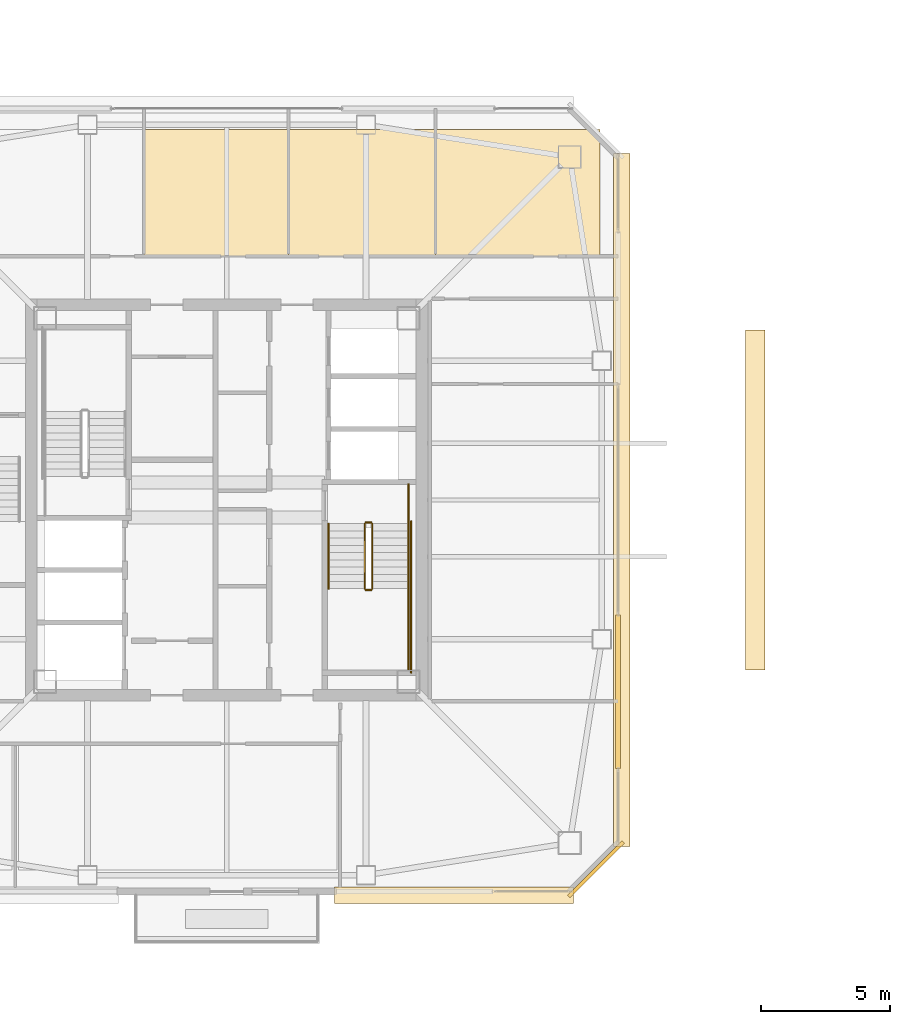
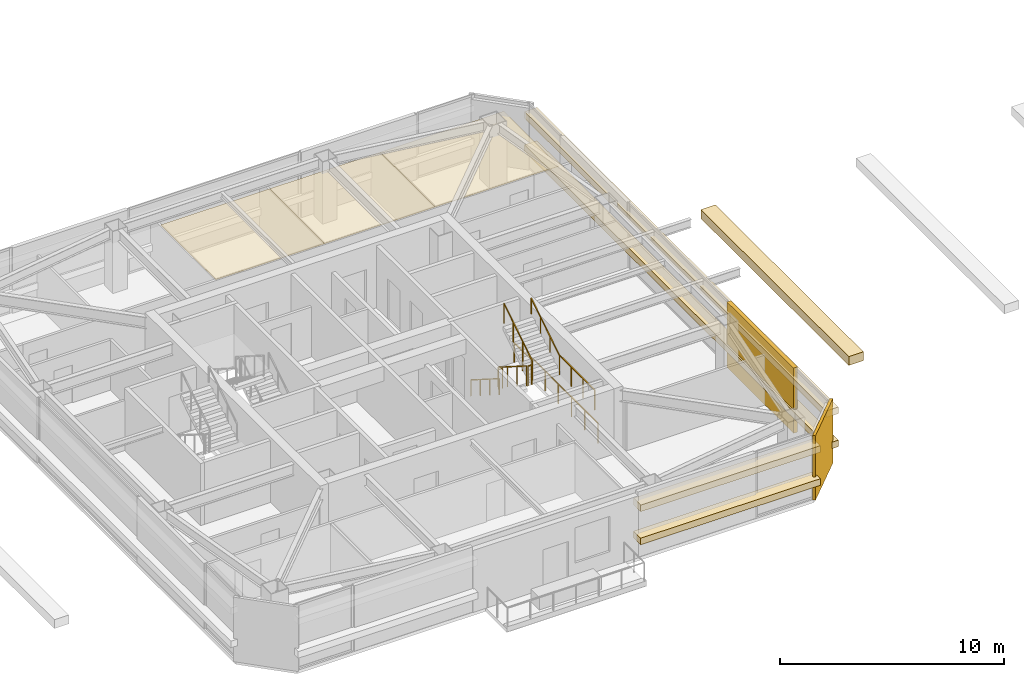
# One storey, part 30 of 31: 10 coverings, 9 railings.
"""IFC4 building model written with IfcOpenShell, lengths in metres."""

import ifcopenshell
import ifcopenshell.guid

model = None  # the IFC model being written
_history = None  # IfcOwnerHistory: only IFC2X3 demands one
_inside = {}  # id of a spatial element -> (the spatial element, [elements in it])
_under = {}  # id of a project, library or spatial element -> (it, [spatial elements below it])
_declared = {}  # id of a project -> (the project, [libraries it declares])
_typed = {}  # id of a type object -> (the type object, [elements of that type])
_made_of = {}  # id of a material, layer set ... -> (it, [elements and type objects made of it])


def new_model(schema):
    """Start an empty IFC model of exactly this schema.

    Asked for "IFC4X3", IfcOpenShell would pick the latest addendum, in which some entities
    have other attributes; the version numbers below select the first issue.
    IFC2X3 requires an IfcOwnerHistory on every rooted entity: one is made here for all.
    """
    global model, _history
    if schema == "IFC4X3":
        model = ifcopenshell.file(schema_version=(4, 3, 0, 0))
    else:
        model = ifcopenshell.file(schema=schema)
    _inside.clear()
    _under.clear()
    _declared.clear()
    _typed.clear()
    _made_of.clear()
    _history = None
    if model.schema == "IFC2X3":
        org = make("IfcOrganization", Name="unknown")
        user = make(
            "IfcPersonAndOrganization",
            ThePerson=make("IfcPerson", FamilyName="unknown"),
            TheOrganization=org,
        )
        app = make(
            "IfcApplication",
            ApplicationDeveloper=org,
            Version="unknown",
            ApplicationFullName="unknown",
            ApplicationIdentifier="unknown",
        )
        _history = make(
            "IfcOwnerHistory",
            OwningUser=user,
            OwningApplication=app,
            ChangeAction="ADDED",
            CreationDate=0,
        )
    return model


def make(cls, **values):
    """One entity of the class cls with the attributes given. An attribute that is None is left unset."""
    return model.create_entity(
        cls, **{name: value for name, value in values.items() if value is not None}
    )


def rooted(cls, **values):
    """An entity with a GlobalId (a new one), such as an element, a storey or a relation."""
    return make(cls, GlobalId=ifcopenshell.guid.new(), OwnerHistory=_history, **values)


def si_unit(unit_type, name, prefix=None):
    """IfcSIUnit, for example si_unit("LENGTHUNIT", "METRE", prefix="MILLI")."""
    return make("IfcSIUnit", UnitType=unit_type, Prefix=prefix, Name=name)


def assignment(units):
    """IfcUnitAssignment: the units of a project."""
    return None if units is None else make("IfcUnitAssignment", Units=units)


def point(xyz):
    """IfcCartesianPoint."""
    return None if xyz is None else make("IfcCartesianPoint", Coordinates=xyz)


def direction(xyz):
    """IfcDirection."""
    return None if xyz is None else make("IfcDirection", DirectionRatios=xyz)


def frame(location, z_axis=None, x_axis=None):
    """IfcAxis2Placement3D, a coordinate frame: its origin and axes. An axis left out is left unset."""
    return make(
        "IfcAxis2Placement3D",
        Location=point(location),
        Axis=direction(z_axis),
        RefDirection=direction(x_axis),
    )


def frame_2d(location, x_axis=None):
    """IfcAxis2Placement2D, a coordinate frame in the plane: its origin and x axis."""
    return make(
        "IfcAxis2Placement2D", Location=point(location), RefDirection=direction(x_axis)
    )


def origin():
    """The frame at (0, 0, 0) with its axes left unset."""
    return frame((0.0, 0.0, 0.0))


def origin_2d():
    """The frame at (0, 0) in the plane with its x axis left unset."""
    return frame_2d((0.0, 0.0))


def place(relative_to, where):
    """IfcLocalPlacement: puts the frame where relative to a parent placement (None: the world)."""
    return make(
        "IfcLocalPlacement", PlacementRelTo=relative_to, RelativePlacement=where
    )


def context(
    kind, dimensions, precision=None, world=None, true_north=None, identifier=None
):
    """IfcGeometricRepresentationContext, for example the 3D "Model" context."""
    return make(
        "IfcGeometricRepresentationContext",
        ContextIdentifier=identifier,
        ContextType=kind,
        CoordinateSpaceDimension=dimensions,
        Precision=precision,
        WorldCoordinateSystem=world,
        TrueNorth=true_north,
    )


def subcontext(parent, identifier, kind, view, scale=None):
    """IfcGeometricRepresentationSubContext, for example "Body" below "Model"."""
    return make(
        "IfcGeometricRepresentationSubContext",
        ContextIdentifier=identifier,
        ContextType=kind,
        ParentContext=parent,
        TargetScale=scale,
        TargetView=view,
    )


def project(units=None, contexts=None):
    """IfcProject with its units and contexts."""
    return rooted(
        "IfcProject",
        Name="project",
        RepresentationContexts=contexts,
        UnitsInContext=assignment(units),
    )


def spatial(cls, under=None, at=None, **own):
    """A site, building, storey or space (cls), placed at a placement, below another one or the project."""
    s = rooted(cls, ObjectPlacement=at, **own)
    if under is not None:
        _under.setdefault(under.id(), (under, []))[1].append(s)
    return s


def polyline(points):
    """IfcPolyline through the points."""
    return make("IfcPolyline", Points=[point(p) for p in points])


def profile(cls, at=None, kind="AREA", **sizes):
    """A parametric profile (cls). Its sizes go by their IFC names, for example OverallWidth=200.0."""
    return make(cls, ProfileType=kind, Position=at, **sizes)


def rectangle(**sizes):
    """IfcRectangleProfileDef."""
    return profile("IfcRectangleProfileDef", **sizes)


def outline(outer, holes=None, kind="AREA"):
    """IfcArbitraryClosedProfileDef: a profile drawn as a closed curve; with holes, ...WithVoids."""
    if holes is None:
        return make("IfcArbitraryClosedProfileDef", ProfileType=kind, OuterCurve=outer)
    return make(
        "IfcArbitraryProfileDefWithVoids",
        ProfileType=kind,
        OuterCurve=outer,
        InnerCurves=holes,
    )


def extrude(swept, where, along, depth):
    """IfcExtrudedAreaSolid: the profile swept, set in the frame where, extruded along a direction by depth."""
    return make(
        "IfcExtrudedAreaSolid",
        SweptArea=swept,
        Position=where,
        ExtrudedDirection=direction(along),
        Depth=depth,
    )


def shape(context_of_items, identifier, shape_type, items):
    """IfcShapeRepresentation: the items that make up one representation, for example the "Body"."""
    return make(
        "IfcShapeRepresentation",
        ContextOfItems=context_of_items,
        RepresentationIdentifier=identifier,
        RepresentationType=shape_type,
        Items=items,
    )


def material(Name=None, Category=None):
    """IfcMaterial."""
    return make("IfcMaterial", Name=Name, Category=Category)


def layer(
    of_material, thickness, ventilated=None, Name=None, Category=None, Priority=None
):
    """IfcMaterialLayer: one layer of a wall or slab, of a material (None: an air gap)."""
    return make(
        "IfcMaterialLayer",
        Material=of_material,
        LayerThickness=thickness,
        IsVentilated=ventilated,
        Name=Name,
        Category=Category,
        Priority=Priority,
    )


def layer_set(layers, Name=None):
    """IfcMaterialLayerSet."""
    return make("IfcMaterialLayerSet", MaterialLayers=layers, LayerSetName=Name)


def made_of(thing, what):
    """Note that an element or type object is made of a material, layer set ...; save() writes the relation."""
    if what is not None:
        _made_of.setdefault(what.id(), (what, []))[1].append(thing)
    return thing


def type_object(cls, material=None, **own):
    """A type object (cls), such as IfcWallType, which elements share."""
    return made_of(rooted(cls, **own), material)


def element(
    cls,
    number,
    at=None,
    inside=None,
    cuts=None,
    type_object=None,
    material=None,
    context=None,
    identifier="Body",
    shape_type=None,
    held_by="IfcProductDefinitionShape",
    body=None,
    shapes=None,
    **own,
):
    """One element of the class cls, such as IfcWall. Its Tag is "e" and its number.

    at: its placement. inside: the storey or other place that contains it. cuts: it is an
    opening in that element (IfcRelVoidsElement). A single representation is given by context,
    identifier, shape_type and body (its items); several are given by shapes. held_by: the class
    of the entity that holds the representations. save() writes the other relations.
    """
    e = rooted(cls, Tag="e%d" % number, ObjectPlacement=at, **own)
    if body is not None:
        shapes = [shape(context, identifier, shape_type, body)]
    if shapes is not None:
        e.Representation = make(held_by, Representations=shapes)
    if inside is not None:
        _inside.setdefault(inside.id(), (inside, []))[1].append(e)
    if cuts is not None:
        rooted(
            "IfcRelVoidsElement", RelatingBuildingElement=cuts, RelatedOpeningElement=e
        )
    if type_object is not None:
        _typed.setdefault(type_object.id(), (type_object, []))[1].append(e)
    return made_of(e, material)


def aggregate(whole, parts):
    """IfcRelAggregates: a whole, such as a stair, and the parts it consists of."""
    return rooted("IfcRelAggregates", RelatingObject=whole, RelatedObjects=parts)


def save(model, path):
    """Write the relations noted so far, then the file.

    IfcRelAggregates (storeys below a building ...), IfcRelContainedInSpatialStructure (elements
    in a storey), IfcRelDefinesByType, IfcRelAssociatesMaterial and IfcRelDeclares: one each for
    every whole, place, type object, material and project.
    """
    for whole, parts in _under.values():
        aggregate(whole, parts)
    for where, things in _inside.values():
        rooted(
            "IfcRelContainedInSpatialStructure",
            RelatedElements=things,
            RelatingStructure=where,
        )
    for kind, things in _typed.values():
        rooted("IfcRelDefinesByType", RelatedObjects=things, RelatingType=kind)
    for what, things in _made_of.values():
        rooted("IfcRelAssociatesMaterial", RelatedObjects=things, RelatingMaterial=what)
    for by, libraries in _declared.values():
        rooted("IfcRelDeclares", RelatingContext=by, RelatedDefinitions=libraries)
    model.write(path)


model = new_model("IFC4")

# Units and contexts
model_context = context("Model", 3, precision=1e-05, world=origin(), true_north=direction((0.0, 1.0)))
body_context = subcontext(model_context, "Body", "Model", "MODEL_VIEW")
ifc_project = project(units=[si_unit("LENGTHUNIT", "METRE"), si_unit("AREAUNIT", "SQUARE_METRE"), si_unit("VOLUMEUNIT", "CUBIC_METRE"), si_unit("PLANEANGLEUNIT", "RADIAN"), si_unit("MASSUNIT", "GRAM", prefix="KILO")], contexts=[model_context])

# Site, building, storey
site_placement = place(None, origin())
site = spatial("IfcSite", under=ifc_project, at=site_placement, CompositionType="ELEMENT")
building_placement = place(site_placement, origin())
building = spatial("IfcBuilding", under=site, at=building_placement, Name="Tashvorn Skyway Center", CompositionType="ELEMENT")
storey_placement = place(building_placement, frame((0.0, 0.0, 266.949951171875)))
storey = spatial("IfcBuildingStorey", under=building, at=storey_placement, Name="L72", CompositionType="ELEMENT", Elevation=266.949951171875)

# Coverings
ifc_material_1 = material(Name="Precast concrete C40/50", Category="concrete")
ifc_layer_1 = layer(ifc_material_1, 0.199951171875)
ifc_layer_set_1 = layer_set([ifc_layer_1], Name="Precast concrete C40/50")
covering_type_1 = type_object("IfcCoveringType", Name="COV-BRACE-CLAD", PredefinedType="CLADDING", material=ifc_layer_set_1)
covering_1_placement = place(storey_placement, frame((57.179931640625, 24.566650390625, 0.0), z_axis=(0.0, 0.0, 1.0), x_axis=(0.0, -1.0, 0.0)))
element("IfcCovering", 1, at=covering_1_placement, inside=storey, type_object=covering_type_1, Name="Tower 1 L72 East Unitised Curtain Wall Mega-Brace Cladding Band 2", PredefinedType="CLADDING", context=body_context, shape_type="SweptSolid", body=[
    extrude(rectangle(XDim=5.94677734375, YDim=0.199951171875, at=origin_2d()), origin(), (0.0, 0.0, 1.0), 3.550048828125),
])
ifc_material_2 = material(Name="Mineral-fibre acoustic ceiling tile on suspended grid")
ifc_layer_2 = layer(ifc_material_2, 0.02001953125)
ifc_layer_set_2 = layer_set([ifc_layer_2], Name="Mineral-fibre acoustic ceiling tile on suspended grid")
covering_type_2 = type_object("IfcCoveringType", Name="COV-CEIL-20", PredefinedType="CEILING", material=ifc_layer_set_2)
covering_2_placement = place(storey_placement, frame((0.0, 0.0, 2.703125)))
element("IfcCovering", 2, at=covering_2_placement, inside=storey, type_object=covering_type_2, Name="Tower 1 L72 Security Control Room Acoustic Ceiling", PredefinedType="CEILING", context=body_context, shape_type="SweptSolid", body=[
    extrude(outline(polyline([(38.800048828125, 41.449951171875), (44.39990234375, 41.449951171875), (44.39990234375, 46.3701171875), (38.800048828125, 46.3701171875), (38.800048828125, 41.449951171875)])), origin(), (0.0, 0.0, 1.0), 0.02001953125),
])
covering_3_placement = place(storey_placement, frame((0.0, 0.0, 2.703125)))
element("IfcCovering", 3, at=covering_3_placement, inside=storey, type_object=covering_type_2, Name="Tower 1 L72 Research Library Acoustic Ceiling", PredefinedType="CEILING", context=body_context, shape_type="SweptSolid", body=[
    extrude(outline(polyline([(44.39990234375, 41.449951171875), (50.10009765625, 41.449951171875), (50.10009765625, 46.3701171875), (44.39990234375, 46.3701171875), (44.39990234375, 41.449951171875)])), origin(), (0.0, 0.0, 1.0), 0.02001953125),
])
covering_4_placement = place(storey_placement, frame((0.0, 0.0, 2.703125)))
element("IfcCovering", 4, at=covering_4_placement, inside=storey, type_object=covering_type_2, Name="Tower 1 L72 Research Library Acoustic Ceiling", PredefinedType="CEILING", context=body_context, shape_type="SweptSolid", body=[
    extrude(outline(polyline([(50.10009765625, 41.449951171875), (56.469970703125, 41.449951171875), (56.469970703125, 46.3701171875), (50.10009765625, 46.3701171875), (50.10009765625, 41.449951171875)])), origin(), (0.0, 0.0, 1.0), 0.02001953125),
])
ifc_material_3 = material(Name="Perforated ceramic-coated bronze aluminium solar screen", Category="aluminium")
ifc_layer_3 = layer(ifc_material_3, 0.85009765625)
ifc_layer_set_3 = layer_set([ifc_layer_3], Name="Perforated ceramic-coated bronze aluminium solar screen")
covering_type_3 = type_object("IfcCoveringType", Name="COV-SOLAR-BAND", PredefinedType="CLADDING", material=ifc_layer_set_3)
for number, where, z_axis, x_axis, name in (
    (5, (50.81494140625, 16.679931640625, 0.919921875), (0.0, 0.0, 1.0), (-1.0, 0.0, 0.0), "L72 Perforated Ceramic-Metal Solar Screen Louvre Band South 1"),
    (6, (50.81494140625, 16.679931640625, 2.72021484375), (0.0, 0.0, 1.0), (-1.0, 0.0, 0.0), "L72 Perforated Ceramic-Metal Solar Screen Louvre Band South 2"),
):
    element("IfcCovering", number, at=place(storey_placement, frame(where, z_axis=z_axis, x_axis=x_axis)), inside=storey, type_object=covering_type_3, Name=name, PredefinedType="CLADDING", context=body_context, shape_type="SweptSolid", body=[
        extrude(rectangle(XDim=9.25, YDim=0.639892578125, at=origin_2d()), origin(), (0.0, 0.0, 1.0), 0.360107421875),
    ])
for number, where, z_axis, x_axis, name in (
    (7, (57.320068359375, 32.0, 0.919921875), (0.0, 0.0, 1.0), (0.0, -1.0, 0.0), "L72 Perforated Ceramic-Metal Solar Screen Louvre Band East 1"),
    (8, (57.320068359375, 32.0, 2.72021484375), (0.0, 0.0, 1.0), (0.0, -1.0, 0.0), "L72 Perforated Ceramic-Metal Solar Screen Louvre Band East 2"),
):
    element("IfcCovering", number, at=place(storey_placement, frame(where, z_axis=z_axis, x_axis=x_axis)), inside=storey, type_object=covering_type_3, Name=name, PredefinedType="CLADDING", context=body_context, shape_type="SweptSolid", body=[
        extrude(rectangle(XDim=26.8798828125, YDim=0.639892578125, at=origin_2d()), origin(), (0.0, 0.0, 1.0), 0.360107421875),
    ])
ifc_layer_4 = layer(ifc_material_1, 0.35009765625)
ifc_layer_set_4 = layer_set([ifc_layer_4], Name="Precast concrete C40/50")
covering_type_4 = type_object("IfcCoveringType", Name="COV-STONE-TRIM", PredefinedType="CLADDING", material=ifc_layer_set_4)
covering_5_placement = place(storey_placement, frame((56.320068359375, 17.679931640625, 0.02001953125), z_axis=(0.0, 0.0, 1.0), x_axis=(0.707106781187, 0.707106781187, 0.0)))
element("IfcCovering", 9, at=covering_5_placement, inside=storey, type_object=covering_type_4, Name="Tower 1 L72 SE Mojave Limestone Corner Quoin", PredefinedType="CLADDING", context=body_context, shape_type="SweptSolid", body=[
    extrude(rectangle(XDim=2.98828125, YDim=0.139892578125, at=origin_2d()), origin(), (0.0, 0.0, 1.0), 3.510009765625),
])
covering_6_placement = place(storey_placement, frame((62.5, 32.0, -0.3798828125), z_axis=(0.0, 0.0, 1.0), x_axis=(1.0, 0.0, 0.0)))
element("IfcCovering", 10, at=covering_6_placement, inside=storey, type_object=covering_type_4, Name="Sky-Park Promenade Terracotta Pergola Trellis 4", PredefinedType="CLADDING", context=body_context, shape_type="SweptSolid", body=[
    extrude(rectangle(XDim=0.75, YDim=13.199951171875, at=origin_2d()), origin(), (0.0, 0.0, 1.0), 0.47998046875),
])

# Railings
ifc_material_4 = material(Name="Brushed stainless steel 316", Category="steel")
railing_type_1 = type_object("IfcRailingType", Name="RAIL-HAND-920", PredefinedType="HANDRAIL", material=ifc_material_4)
railing_1_placement = place(storey_placement, frame((45.949951171875, 31.080078125, 0.177490234375)))
element("IfcRailing", 11, at=railing_1_placement, inside=storey, type_object=railing_type_1, Name="L72 ST-T1-2 stair handrail 1", PredefinedType="HANDRAIL", context=body_context, shape_type="SweptSolid", body=[
    extrude(rectangle(XDim=0.048095703125, YDim=0.048095703125, at=origin_2d()), frame((0.0, 0.0, 0.8759765625), z_axis=(0.0, -0.84456994832, 0.535445237532), x_axis=(1.0, 0.0, 0.0)), (0.0, 0.0, 1.0), 2.98388671875),
    extrude(rectangle(XDim=0.0419921875, YDim=0.0419921875, at=origin_2d()), origin(), (0.0, 0.0, 1.0), 0.851806640625),
    extrude(rectangle(XDim=0.0419921875, YDim=0.0419921875, at=origin_2d()), frame((0.0, -0.840087890625, 0.532470703125)), (0.0, 0.0, 1.0), 0.851806640625),
    extrude(rectangle(XDim=0.0419921875, YDim=0.0419921875, at=origin_2d()), frame((0.0, -1.679931640625, 1.065185546875)), (0.0, 0.0, 1.0), 0.851806640625),
    extrude(rectangle(XDim=0.0419921875, YDim=0.0419921875, at=origin_2d()), frame((0.0, -2.52001953125, 1.59765625)), (0.0, 0.0, 1.0), 0.851806640625),
])
railing_2_placement = place(storey_placement, frame((49.050048828125, 28.56005859375, 1.95263671875)))
element("IfcRailing", 12, at=railing_2_placement, inside=storey, type_object=railing_type_1, Name="L72 ST-T1-2 stair handrail 2", PredefinedType="HANDRAIL", context=body_context, shape_type="SweptSolid", body=[
    extrude(rectangle(XDim=0.048095703125, YDim=0.048095703125, at=origin_2d()), frame((0.0, 0.0, 0.8759765625), z_axis=(0.0, 0.84460694969, 0.535386869969), x_axis=(-1.0, 0.0, 0.0)), (0.0, 0.0, 1.0), 2.983642578125),
    extrude(rectangle(XDim=0.0419921875, YDim=0.0419921875, at=origin_2d()), origin(), (0.0, 0.0, 1.0), 0.851806640625),
    extrude(rectangle(XDim=0.0419921875, YDim=0.0419921875, at=origin_2d()), frame((0.0, 0.840087890625, 0.532470703125)), (0.0, 0.0, 1.0), 0.851806640625),
    extrude(rectangle(XDim=0.0419921875, YDim=0.0419921875, at=origin_2d()), frame((0.0, 1.679931640625, 1.06494140625)), (0.0, 0.0, 1.0), 0.851806640625),
    extrude(rectangle(XDim=0.0419921875, YDim=0.0419921875, at=origin_2d()), frame((0.0, 2.52001953125, 1.597412109375)), (0.0, 0.0, 1.0), 0.851806640625),
])
ifc_material_5 = material(Name="Painted galvanized steel S355", Category="steel")
railing_type_2 = type_object("IfcRailingType", Name="RAIL-STGUARD-1100", PredefinedType="GUARDRAIL", material=ifc_material_5)
railing_3_placement = place(storey_placement, frame((47.35009765625, 31.080078125, 0.177490234375)))
element("IfcRailing", 13, at=railing_3_placement, inside=storey, type_object=railing_type_2, Name="L72 ST-T1-2 stair guard 1", PredefinedType="GUARDRAIL", context=body_context, shape_type="SweptSolid", body=[
    extrude(rectangle(XDim=0.048095703125, YDim=0.048095703125, at=origin_2d()), frame((0.0, 0.0, 1.076171875), z_axis=(0.0, -0.84456994832, 0.535445237532), x_axis=(1.0, 0.0, 0.0)), (0.0, 0.0, 1.0), 2.98388671875),
    extrude(rectangle(XDim=0.0419921875, YDim=0.0419921875, at=origin_2d()), origin(), (0.0, 0.0, 1.0), 1.052001953125),
    extrude(rectangle(XDim=0.0419921875, YDim=0.0419921875, at=origin_2d()), frame((0.0, -0.840087890625, 0.532470703125)), (0.0, 0.0, 1.0), 1.052001953125),
    extrude(rectangle(XDim=0.0419921875, YDim=0.0419921875, at=origin_2d()), frame((0.0, -1.679931640625, 1.065185546875)), (0.0, 0.0, 1.0), 1.052001953125),
    extrude(rectangle(XDim=0.0419921875, YDim=0.0419921875, at=origin_2d()), frame((0.0, -2.52001953125, 1.59765625)), (0.0, 0.0, 1.0), 1.052001953125),
])
railing_4_placement = place(storey_placement, frame((47.39990234375, 28.510009765625, 1.775146484375)))
element("IfcRailing", 14, at=railing_4_placement, inside=storey, type_object=railing_type_2, Name="L72 ST-T1-2 stair guard 2", PredefinedType="GUARDRAIL", context=body_context, shape_type="SweptSolid", body=[
    extrude(rectangle(XDim=0.048095703125, YDim=0.048095703125, at=origin_2d()), frame((0.0, 0.0, 1.076171875), z_axis=(1.0, 0.0, 0.0), x_axis=(0.0, 1.0, 0.0)), (0.0, 0.0, 1.0), 0.2001953125),
    extrude(rectangle(XDim=0.0419921875, YDim=0.0419921875, at=origin_2d()), origin(), (0.0, 0.0, 1.0), 1.052001953125),
    extrude(rectangle(XDim=0.0419921875, YDim=0.0419921875, at=origin_2d()), frame((0.2001953125, 0.0, 0.0)), (0.0, 0.0, 1.0), 1.052001953125),
])
railing_5_placement = place(storey_placement, frame((49.050048828125, 28.56005859375, 1.775146484375)))
element("IfcRailing", 15, at=railing_5_placement, inside=storey, type_object=railing_type_2, Name="L72 ST-T1-2 stair guard 3", PredefinedType="GUARDRAIL", context=body_context, shape_type="SweptSolid", body=[
    extrude(rectangle(XDim=0.048095703125, YDim=0.048095703125, at=origin_2d()), frame((0.0, 0.0, 1.076171875), z_axis=(0.0, -1.0, 0.0), x_axis=(1.0, 0.0, 0.0)), (0.0, 0.0, 1.0), 3.16015625),
    extrude(rectangle(XDim=0.0419921875, YDim=0.0419921875, at=origin_2d()), origin(), (0.0, 0.0, 1.0), 1.052001953125),
    extrude(rectangle(XDim=0.0419921875, YDim=0.0419921875, at=origin_2d()), frame((0.0, -1.053466796875, 0.0)), (0.0, 0.0, 1.0), 1.052001953125),
    extrude(rectangle(XDim=0.0419921875, YDim=0.0419921875, at=origin_2d()), frame((0.0, -2.106689453125, 0.0)), (0.0, 0.0, 1.0), 1.052001953125),
    extrude(rectangle(XDim=0.0419921875, YDim=0.0419921875, at=origin_2d()), frame((0.0, -3.16015625, 0.0)), (0.0, 0.0, 1.0), 1.052001953125),
])
railing_6_placement = place(storey_placement, frame((47.64990234375, 28.56005859375, 1.95263671875)))
element("IfcRailing", 16, at=railing_6_placement, inside=storey, type_object=railing_type_2, Name="L72 ST-T1-2 stair guard 4", PredefinedType="GUARDRAIL", context=body_context, shape_type="SweptSolid", body=[
    extrude(rectangle(XDim=0.048095703125, YDim=0.048095703125, at=origin_2d()), frame((0.0, 0.0, 1.076171875), z_axis=(0.0, 0.84460694969, 0.535386869969), x_axis=(-1.0, 0.0, 0.0)), (0.0, 0.0, 1.0), 2.983642578125),
    extrude(rectangle(XDim=0.0419921875, YDim=0.0419921875, at=origin_2d()), origin(), (0.0, 0.0, 1.0), 1.052001953125),
    extrude(rectangle(XDim=0.0419921875, YDim=0.0419921875, at=origin_2d()), frame((0.0, 0.840087890625, 0.532470703125)), (0.0, 0.0, 1.0), 1.052001953125),
    extrude(rectangle(XDim=0.0419921875, YDim=0.0419921875, at=origin_2d()), frame((0.0, 1.679931640625, 1.06494140625)), (0.0, 0.0, 1.0), 1.052001953125),
    extrude(rectangle(XDim=0.0419921875, YDim=0.0419921875, at=origin_2d()), frame((0.0, 2.52001953125, 1.597412109375)), (0.0, 0.0, 1.0), 1.052001953125),
])
railing_7_placement = place(storey_placement, frame((47.39990234375, 31.1298828125, 0.0)))
element("IfcRailing", 17, at=railing_7_placement, inside=storey, type_object=railing_type_2, Name="L72 ST-T1-2 stair guard 5", PredefinedType="GUARDRAIL", context=body_context, shape_type="SweptSolid", body=[
    extrude(rectangle(XDim=0.048095703125, YDim=0.048095703125, at=origin_2d()), frame((0.0, 0.0, 1.076171875), z_axis=(1.0, 0.0, 0.0), x_axis=(0.0, 1.0, 0.0)), (0.0, 0.0, 1.0), 0.2001953125),
    extrude(rectangle(XDim=0.0419921875, YDim=0.0419921875, at=origin_2d()), origin(), (0.0, 0.0, 1.0), 1.052001953125),
    extrude(rectangle(XDim=0.0419921875, YDim=0.0419921875, at=origin_2d()), frame((0.2001953125, 0.0, 0.0)), (0.0, 0.0, 1.0), 1.052001953125),
])
railing_8_placement = place(storey_placement, frame((49.050048828125, 32.60009765625, 0.0)))
element("IfcRailing", 18, at=railing_8_placement, inside=storey, type_object=railing_type_2, Name="L72 ST-T1-2 stair guard 6", PredefinedType="GUARDRAIL", context=body_context, shape_type="SweptSolid", body=[
    extrude(rectangle(XDim=0.048095703125, YDim=0.048095703125, at=origin_2d()), frame((0.0, 0.0, 1.076171875), z_axis=(0.0, -1.0, 0.0), x_axis=(1.0, 0.0, 0.0)), (0.0, 0.0, 1.0), 1.52001953125),
    extrude(rectangle(XDim=0.0419921875, YDim=0.0419921875, at=origin_2d()), origin(), (0.0, 0.0, 1.0), 1.052001953125),
    extrude(rectangle(XDim=0.0419921875, YDim=0.0419921875, at=origin_2d()), frame((0.0, -0.760009765625, 0.0)), (0.0, 0.0, 1.0), 1.052001953125),
    extrude(rectangle(XDim=0.0419921875, YDim=0.0419921875, at=origin_2d()), frame((0.0, -1.52001953125, 0.0)), (0.0, 0.0, 1.0), 1.052001953125),
])
railing_9_placement = place(storey_placement, frame((49.14990234375, 31.179931640625, 0.0)))
element("IfcRailing", 19, at=railing_9_placement, inside=storey, type_object=railing_type_2, Name="L72 ST-T1-2 stair guard 7", PredefinedType="GUARDRAIL", context=body_context, shape_type="SweptSolid", body=[
    extrude(rectangle(XDim=0.048095703125, YDim=0.048095703125, at=origin_2d()), frame((0.0, 0.0, 1.076171875), z_axis=(0.0, -1.0, 0.0), x_axis=(1.0, 0.0, 0.0)), (0.0, 0.0, 1.0), 5.8798828125),
    extrude(rectangle(XDim=0.0419921875, YDim=0.0419921875, at=origin_2d()), origin(), (0.0, 0.0, 1.0), 1.052001953125),
    extrude(rectangle(XDim=0.0419921875, YDim=0.0419921875, at=origin_2d()), frame((0.0, -1.176025390625, 0.0)), (0.0, 0.0, 1.0), 1.052001953125),
    extrude(rectangle(XDim=0.0419921875, YDim=0.0419921875, at=origin_2d()), frame((0.0, -2.35205078125, 0.0)), (0.0, 0.0, 1.0), 1.052001953125),
    extrude(rectangle(XDim=0.0419921875, YDim=0.0419921875, at=origin_2d()), frame((0.0, -3.52783203125, 0.0)), (0.0, 0.0, 1.0), 1.052001953125),
    extrude(rectangle(XDim=0.0419921875, YDim=0.0419921875, at=origin_2d()), frame((0.0, -4.703857421875, 0.0)), (0.0, 0.0, 1.0), 1.052001953125),
    extrude(rectangle(XDim=0.0419921875, YDim=0.0419921875, at=origin_2d()), frame((0.0, -5.8798828125, 0.0)), (0.0, 0.0, 1.0), 1.052001953125),
])

save(model, "model.ifc")
